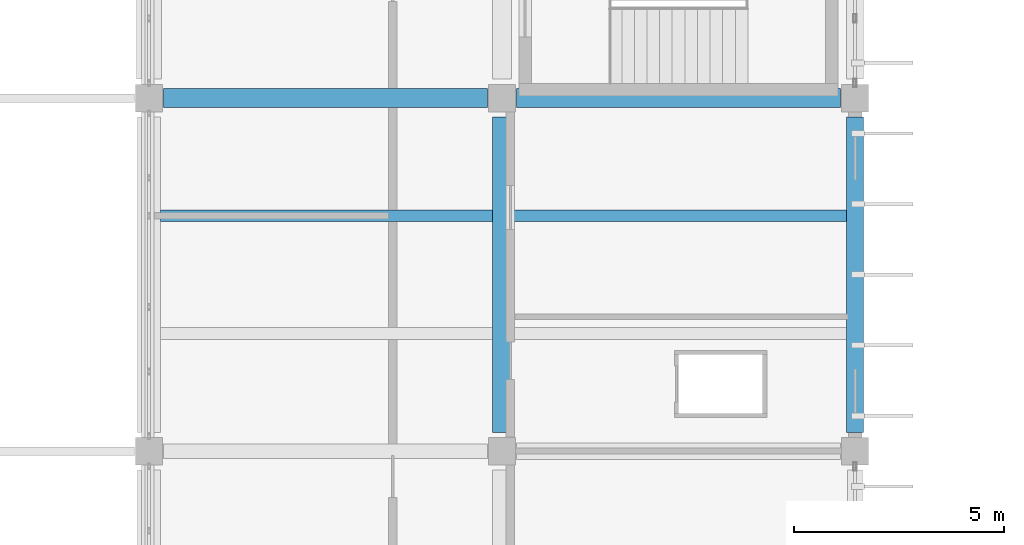
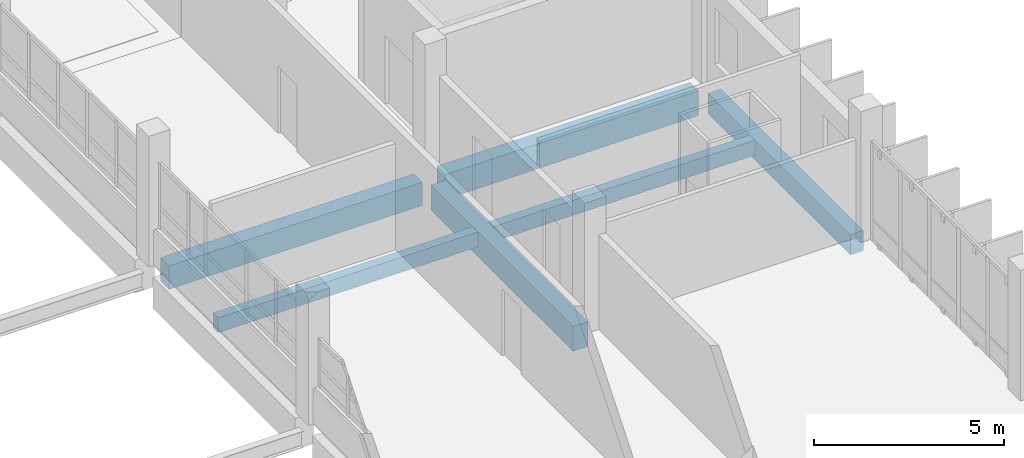
# One storey, part 56 of 101: 6 beams.
"""IFC4 building model written with IfcOpenShell, lengths in metres."""

import ifcopenshell
import ifcopenshell.guid

model = None  # the IFC model being written
_history = None  # IfcOwnerHistory: only IFC2X3 demands one
_inside = {}  # id of a spatial element -> (the spatial element, [elements in it])
_under = {}  # id of a project, library or spatial element -> (it, [spatial elements below it])
_declared = {}  # id of a project -> (the project, [libraries it declares])
_typed = {}  # id of a type object -> (the type object, [elements of that type])
_made_of = {}  # id of a material, layer set ... -> (it, [elements and type objects made of it])


def new_model(schema):
    """Start an empty IFC model of exactly this schema.

    Asked for "IFC4X3", IfcOpenShell would pick the latest addendum, in which some entities
    have other attributes; the version numbers below select the first issue.
    IFC2X3 requires an IfcOwnerHistory on every rooted entity: one is made here for all.
    """
    global model, _history
    if schema == "IFC4X3":
        model = ifcopenshell.file(schema_version=(4, 3, 0, 0))
    else:
        model = ifcopenshell.file(schema=schema)
    _inside.clear()
    _under.clear()
    _declared.clear()
    _typed.clear()
    _made_of.clear()
    _history = None
    if model.schema == "IFC2X3":
        org = make("IfcOrganization", Name="unknown")
        user = make(
            "IfcPersonAndOrganization",
            ThePerson=make("IfcPerson", FamilyName="unknown"),
            TheOrganization=org,
        )
        app = make(
            "IfcApplication",
            ApplicationDeveloper=org,
            Version="unknown",
            ApplicationFullName="unknown",
            ApplicationIdentifier="unknown",
        )
        _history = make(
            "IfcOwnerHistory",
            OwningUser=user,
            OwningApplication=app,
            ChangeAction="ADDED",
            CreationDate=0,
        )
    return model


def make(cls, **values):
    """One entity of the class cls with the attributes given. An attribute that is None is left unset."""
    return model.create_entity(
        cls, **{name: value for name, value in values.items() if value is not None}
    )


def rooted(cls, **values):
    """An entity with a GlobalId (a new one), such as an element, a storey or a relation."""
    return make(cls, GlobalId=ifcopenshell.guid.new(), OwnerHistory=_history, **values)


def si_unit(unit_type, name, prefix=None):
    """IfcSIUnit, for example si_unit("LENGTHUNIT", "METRE", prefix="MILLI")."""
    return make("IfcSIUnit", UnitType=unit_type, Prefix=prefix, Name=name)


def assignment(units):
    """IfcUnitAssignment: the units of a project."""
    return None if units is None else make("IfcUnitAssignment", Units=units)


def point(xyz):
    """IfcCartesianPoint."""
    return None if xyz is None else make("IfcCartesianPoint", Coordinates=xyz)


def direction(xyz):
    """IfcDirection."""
    return None if xyz is None else make("IfcDirection", DirectionRatios=xyz)


def frame(location, z_axis=None, x_axis=None):
    """IfcAxis2Placement3D, a coordinate frame: its origin and axes. An axis left out is left unset."""
    return make(
        "IfcAxis2Placement3D",
        Location=point(location),
        Axis=direction(z_axis),
        RefDirection=direction(x_axis),
    )


def frame_2d(location, x_axis=None):
    """IfcAxis2Placement2D, a coordinate frame in the plane: its origin and x axis."""
    return make(
        "IfcAxis2Placement2D", Location=point(location), RefDirection=direction(x_axis)
    )


def origin():
    """The frame at (0, 0, 0) with its axes left unset."""
    return frame((0.0, 0.0, 0.0))


def origin_2d():
    """The frame at (0, 0) in the plane with its x axis left unset."""
    return frame_2d((0.0, 0.0))


def place(relative_to, where):
    """IfcLocalPlacement: puts the frame where relative to a parent placement (None: the world)."""
    return make(
        "IfcLocalPlacement", PlacementRelTo=relative_to, RelativePlacement=where
    )


def context(
    kind, dimensions, precision=None, world=None, true_north=None, identifier=None
):
    """IfcGeometricRepresentationContext, for example the 3D "Model" context."""
    return make(
        "IfcGeometricRepresentationContext",
        ContextIdentifier=identifier,
        ContextType=kind,
        CoordinateSpaceDimension=dimensions,
        Precision=precision,
        WorldCoordinateSystem=world,
        TrueNorth=true_north,
    )


def subcontext(parent, identifier, kind, view, scale=None):
    """IfcGeometricRepresentationSubContext, for example "Body" below "Model"."""
    return make(
        "IfcGeometricRepresentationSubContext",
        ContextIdentifier=identifier,
        ContextType=kind,
        ParentContext=parent,
        TargetScale=scale,
        TargetView=view,
    )


def project(units=None, contexts=None):
    """IfcProject with its units and contexts."""
    return rooted(
        "IfcProject",
        Name="project",
        RepresentationContexts=contexts,
        UnitsInContext=assignment(units),
    )


def spatial(cls, under=None, at=None, **own):
    """A site, building, storey or space (cls), placed at a placement, below another one or the project."""
    s = rooted(cls, ObjectPlacement=at, **own)
    if under is not None:
        _under.setdefault(under.id(), (under, []))[1].append(s)
    return s


def profile(cls, at=None, kind="AREA", **sizes):
    """A parametric profile (cls). Its sizes go by their IFC names, for example OverallWidth=200.0."""
    return make(cls, ProfileType=kind, Position=at, **sizes)


def rectangle(**sizes):
    """IfcRectangleProfileDef."""
    return profile("IfcRectangleProfileDef", **sizes)


def extrude(swept, where, along, depth):
    """IfcExtrudedAreaSolid: the profile swept, set in the frame where, extruded along a direction by depth."""
    return make(
        "IfcExtrudedAreaSolid",
        SweptArea=swept,
        Position=where,
        ExtrudedDirection=direction(along),
        Depth=depth,
    )


def shape(context_of_items, identifier, shape_type, items):
    """IfcShapeRepresentation: the items that make up one representation, for example the "Body"."""
    return make(
        "IfcShapeRepresentation",
        ContextOfItems=context_of_items,
        RepresentationIdentifier=identifier,
        RepresentationType=shape_type,
        Items=items,
    )


def material(Name=None, Category=None):
    """IfcMaterial."""
    return make("IfcMaterial", Name=Name, Category=Category)


def material_profile(
    of_material, cross_section, Name=None, Category=None, Priority=None
):
    """IfcMaterialProfile: a cross section and its material."""
    return make(
        "IfcMaterialProfile",
        Name=Name,
        Material=of_material,
        Profile=cross_section,
        Priority=Priority,
        Category=Category,
    )


def profile_set(profiles, Name=None, composite=None):
    """IfcMaterialProfileSet."""
    return make(
        "IfcMaterialProfileSet",
        Name=Name,
        MaterialProfiles=profiles,
        CompositeProfile=composite,
    )


def made_of(thing, what):
    """Note that an element or type object is made of a material, layer set ...; save() writes the relation."""
    if what is not None:
        _made_of.setdefault(what.id(), (what, []))[1].append(thing)
    return thing


def type_object(cls, material=None, **own):
    """A type object (cls), such as IfcWallType, which elements share."""
    return made_of(rooted(cls, **own), material)


def element(
    cls,
    number,
    at=None,
    inside=None,
    cuts=None,
    type_object=None,
    material=None,
    context=None,
    identifier="Body",
    shape_type=None,
    held_by="IfcProductDefinitionShape",
    body=None,
    shapes=None,
    **own,
):
    """One element of the class cls, such as IfcWall. Its Tag is "e" and its number.

    at: its placement. inside: the storey or other place that contains it. cuts: it is an
    opening in that element (IfcRelVoidsElement). A single representation is given by context,
    identifier, shape_type and body (its items); several are given by shapes. held_by: the class
    of the entity that holds the representations. save() writes the other relations.
    """
    e = rooted(cls, Tag="e%d" % number, ObjectPlacement=at, **own)
    if body is not None:
        shapes = [shape(context, identifier, shape_type, body)]
    if shapes is not None:
        e.Representation = make(held_by, Representations=shapes)
    if inside is not None:
        _inside.setdefault(inside.id(), (inside, []))[1].append(e)
    if cuts is not None:
        rooted(
            "IfcRelVoidsElement", RelatingBuildingElement=cuts, RelatedOpeningElement=e
        )
    if type_object is not None:
        _typed.setdefault(type_object.id(), (type_object, []))[1].append(e)
    return made_of(e, material)


def aggregate(whole, parts):
    """IfcRelAggregates: a whole, such as a stair, and the parts it consists of."""
    return rooted("IfcRelAggregates", RelatingObject=whole, RelatedObjects=parts)


def save(model, path):
    """Write the relations noted so far, then the file.

    IfcRelAggregates (storeys below a building ...), IfcRelContainedInSpatialStructure (elements
    in a storey), IfcRelDefinesByType, IfcRelAssociatesMaterial and IfcRelDeclares: one each for
    every whole, place, type object, material and project.
    """
    for whole, parts in _under.values():
        aggregate(whole, parts)
    for where, things in _inside.values():
        rooted(
            "IfcRelContainedInSpatialStructure",
            RelatedElements=things,
            RelatingStructure=where,
        )
    for kind, things in _typed.values():
        rooted("IfcRelDefinesByType", RelatedObjects=things, RelatingType=kind)
    for what, things in _made_of.values():
        rooted("IfcRelAssociatesMaterial", RelatedObjects=things, RelatingMaterial=what)
    for by, libraries in _declared.values():
        rooted("IfcRelDeclares", RelatingContext=by, RelatedDefinitions=libraries)
    model.write(path)


model = new_model("IFC4")

# Units and contexts
model_context = context("Model", 3, precision=1e-05, world=origin(), true_north=direction((0.0, 1.0)))
body_context = subcontext(model_context, "Body", "Model", "MODEL_VIEW")
ifc_project = project(units=[si_unit("LENGTHUNIT", "METRE"), si_unit("AREAUNIT", "SQUARE_METRE"), si_unit("VOLUMEUNIT", "CUBIC_METRE"), si_unit("PLANEANGLEUNIT", "RADIAN"), si_unit("MASSUNIT", "GRAM", prefix="KILO")], contexts=[model_context])

# Site, building, storey
site_placement = place(None, origin())
site = spatial("IfcSite", under=ifc_project, at=site_placement, CompositionType="ELEMENT")
building_placement = place(site_placement, origin())
building = spatial("IfcBuilding", under=site, at=building_placement, Name="Vireocrest Preparatory School", CompositionType="ELEMENT")
storey_placement = place(building_placement, frame((0.0, 0.0, 4.800048828125)))
storey = spatial("IfcBuildingStorey", under=building, at=storey_placement, Name="L01", CompositionType="ELEMENT", Elevation=4.800048828125)

# Beams
ifc_material = material(Name="Concrete 40 MPa", Category="concrete")
ifc_material_profile_1 = material_profile(ifc_material, rectangle(XDim=0.39990234375, YDim=0.64990234375, at=origin_2d()), Name="RC 400x650")
ifc_profile_set_1 = profile_set([ifc_material_profile_1], Name="Concrete 40 MPa")
beam_type_1 = type_object("IfcBeamType", Name="RC Laboratory Girder 400x650", PredefinedType="BEAM", material=ifc_profile_set_1)
beam_1_placement = place(storey_placement, frame((109.199951171875, 69.449951171875, -0.5849609375), z_axis=(0.0, 1.0, 0.0), x_axis=(-1.0, 0.0, 0.0)))
element("IfcBeam", 1, at=beam_1_placement, inside=storey, type_object=beam_type_1, Name="Primary Girder B07 L01-0468", PredefinedType="BEAM", context=body_context, shape_type="SweptSolid", body=[
    extrude(rectangle(XDim=0.39990234375, YDim=0.64990234375, at=origin_2d()), origin(), (0.0, 0.0, 1.0), 7.5),
])
ifc_material_profile_2 = material_profile(ifc_material, rectangle(XDim=0.449951171875, YDim=0.75, at=origin_2d()), Name="RC 450x750")
ifc_profile_set_2 = profile_set([ifc_material_profile_2], Name="Concrete 40 MPa")
beam_type_2 = type_object("IfcBeamType", Name="RC Library Stack Girder 450x750", PredefinedType="BEAM", material=ifc_profile_set_2)
beam_2_placement = place(storey_placement, frame((92.75, 77.39990234375, -0.635009765625), z_axis=(1.0, 0.0, 0.0), x_axis=(0.0, 1.0, 0.0)))
element("IfcBeam", 2, at=beam_2_placement, inside=storey, type_object=beam_type_2, Name="Primary Girder B11 L01-0333", PredefinedType="BEAM", context=body_context, shape_type="SweptSolid", body=[
    extrude(rectangle(XDim=0.449951171875, YDim=0.75, at=origin_2d()), origin(), (0.0, 0.0, 1.0), 7.699951171875),
])
ifc_material_profile_3 = material_profile(ifc_material, rectangle(XDim=0.449951171875, YDim=0.800048828125, at=origin_2d()), Name="RC 450x800")
ifc_profile_set_3 = profile_set([ifc_material_profile_3], Name="Concrete 40 MPa")
beam_type_3 = type_object("IfcBeamType", Name="RC Library Stack Girder 450x800", PredefinedType="BEAM", material=ifc_profile_set_3)
beam_3_placement = place(storey_placement, frame((101.14990234375, 77.39990234375, -0.66015625), z_axis=(1.0, 0.0, 0.0), x_axis=(0.0, 1.0, 0.0)))
element("IfcBeam", 3, at=beam_3_placement, inside=storey, type_object=beam_type_3, Name="Primary Girder B12 L01-0334", PredefinedType="BEAM", context=body_context, shape_type="SweptSolid", body=[
    extrude(rectangle(XDim=0.449951171875, YDim=0.800048828125, at=origin_2d()), origin(), (0.0, 0.0, 1.0), 7.7001953125),
])
beam_4_placement = place(storey_placement, frame((100.800048828125, 69.449951171875, -0.66015625), z_axis=(0.0, 1.0, 0.0), x_axis=(-1.0, 0.0, 0.0)))
element("IfcBeam", 4, at=beam_4_placement, inside=storey, type_object=beam_type_3, Name="Primary Girder B12 L01-0455", PredefinedType="BEAM", context=body_context, shape_type="SweptSolid", body=[
    extrude(rectangle(XDim=0.449951171875, YDim=0.800048828125, at=origin_2d()), origin(), (0.0, 0.0, 1.0), 7.5),
])
ifc_material_profile_4 = material_profile(ifc_material, rectangle(XDim=0.280029296875, YDim=0.47998046875, at=origin_2d()), Name="RC 280x480")
ifc_profile_set_4 = profile_set([ifc_material_profile_4], Name="Concrete 40 MPa")
beam_type_4 = type_object("IfcBeamType", Name="RC Secondary Lab Joist 280x480", PredefinedType="JOIST", material=ifc_profile_set_4)
beam_5_placement = place(storey_placement, frame((92.675048828125, 74.60009765625, -0.5), z_axis=(1.0, 0.0, 0.0), x_axis=(0.0, 1.0, 0.0)))
element("IfcBeam", 5, at=beam_5_placement, inside=storey, type_object=beam_type_4, Name="Secondary Joist J02 L01-0600", PredefinedType="JOIST", context=body_context, shape_type="SweptSolid", body=[
    extrude(rectangle(XDim=0.280029296875, YDim=0.47998046875, at=origin_2d()), origin(), (0.0, 0.0, 1.0), 7.89990234375),
])
beam_6_placement = place(storey_placement, frame((101.02490234375, 74.60009765625, -0.5), z_axis=(1.0, 0.0, 0.0), x_axis=(0.0, 1.0, 0.0)))
element("IfcBeam", 6, at=beam_6_placement, inside=storey, type_object=beam_type_4, Name="Secondary Joist J02 L01-0620", PredefinedType="JOIST", context=body_context, shape_type="SweptSolid", body=[
    extrude(rectangle(XDim=0.280029296875, YDim=0.47998046875, at=origin_2d()), origin(), (0.0, 0.0, 1.0), 7.97509765625),
])

save(model, "model.ifc")
